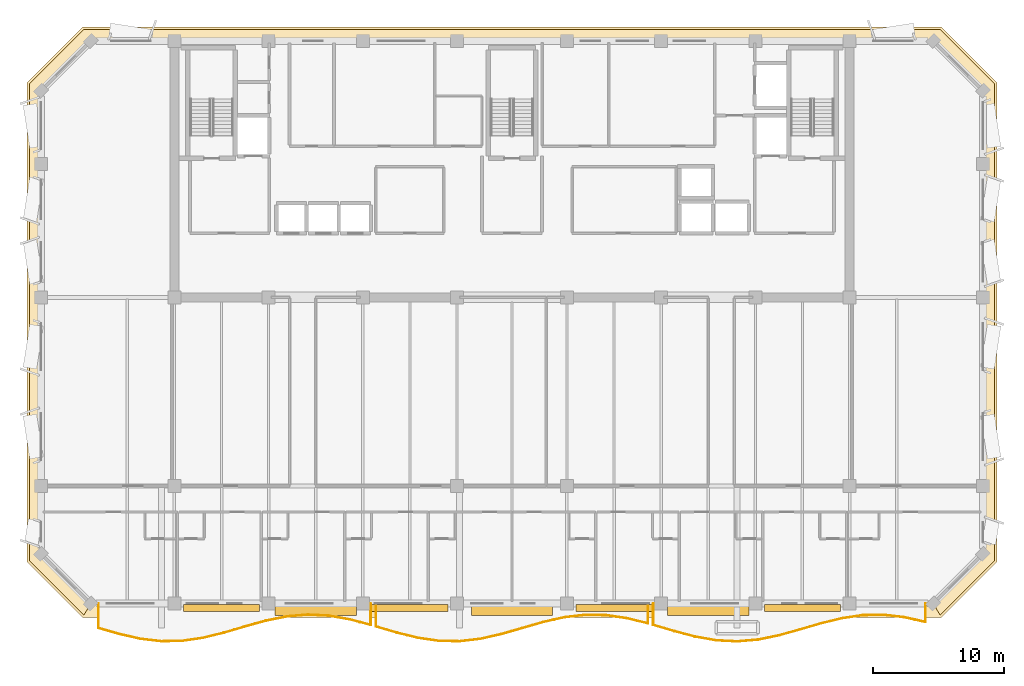
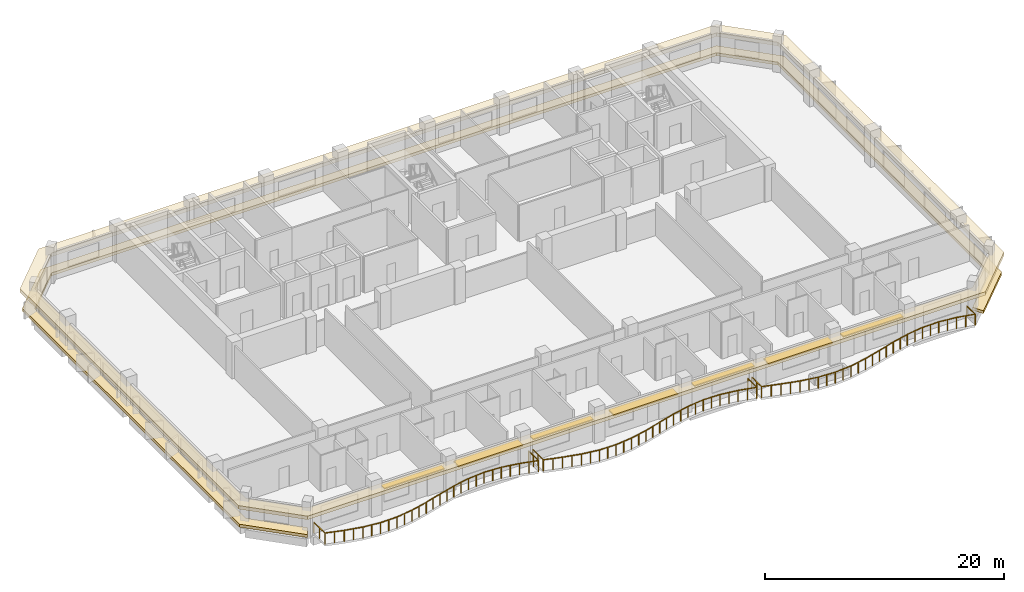
# One storey, part 9 of 11: 7 shading devices, 3 railings, 2 coverings.
"""IFC4 building model written with IfcOpenShell, lengths in metres."""

from ifc_helpers import new_model, si_unit, direction, frame, origin, origin_2d, place, context, subcontext, project, spatial, polyline, rectangle, outline, extrude, material, layer, layer_set, type_object, element, save


model = new_model("IFC4")

# Units and contexts
model_context = context("Model", 3, precision=1e-05, world=origin(), true_north=direction((0.0, 1.0)))
body_context = subcontext(model_context, "Body", "Model", "MODEL_VIEW")
ifc_project = project(units=[si_unit("LENGTHUNIT", "METRE"), si_unit("AREAUNIT", "SQUARE_METRE"), si_unit("VOLUMEUNIT", "CUBIC_METRE"), si_unit("PLANEANGLEUNIT", "RADIAN"), si_unit("MASSUNIT", "GRAM", prefix="KILO")], contexts=[model_context])

# Site, building, storey
site_placement = place(None, origin())
site = spatial("IfcSite", under=ifc_project, at=site_placement, CompositionType="ELEMENT")
building_placement = place(site_placement, origin())
building = spatial("IfcBuilding", under=site, at=building_placement, Name="Kaelvorn Grand Hotel", CompositionType="ELEMENT")
storey_placement = place(building_placement, frame((0.0, 0.0, 233.10009765625)))
storey = spatial("IfcBuildingStorey", under=building, at=storey_placement, Name="L57", CompositionType="ELEMENT", Elevation=233.10009765625)

# Coverings
ifc_material_1 = material(Name="Precast concrete C45/55", Category="concrete")
ifc_layer_1 = layer(ifc_material_1, 0.260009765625)
ifc_layer_set_1 = layer_set([ifc_layer_1], Name="Precast concrete C45/55")
covering_type_1 = type_object("IfcCoveringType", Name="COV-BAND-STREAMLINE-HEAD", PredefinedType="CLADDING", material=ifc_layer_set_1)
covering_1_placement = place(storey_placement, frame((0.0, 0.0, 2.419921875)))
element("IfcCovering", 1, at=covering_1_placement, inside=storey, type_object=covering_type_1, Name="L57 Streamline Moderne Wraparound Horizontal Eyebrow Band", PredefinedType="CLADDING", context=body_context, shape_type="SweptSolid", body=[
    extrude(outline(polyline([(9.18994140625, 4.949951171875), (74.81005859375, 4.949951171875), (79.050048828125, 9.18994140625), (79.050048828125, 45.81005859375), (74.81005859375, 50.050048828125), (9.18994140625, 50.050048828125), (4.949951171875, 45.81005859375), (4.949951171875, 9.18994140625), (9.18994140625, 4.949951171875)]), holes=[polyline([(9.820068359375, 6.030029296875), (74.179931640625, 6.030029296875), (77.969970703125, 9.820068359375), (77.969970703125, 45.179931640625), (74.179931640625, 48.969970703125), (9.820068359375, 48.969970703125), (6.030029296875, 45.179931640625), (6.030029296875, 9.820068359375), (9.820068359375, 6.030029296875)])]), origin(), (0.0, 0.0, 1.0), 0.35986328125),
])
ifc_layer_2 = layer(ifc_material_1, 0.219970703125)
ifc_layer_set_2 = layer_set([ifc_layer_2], Name="Precast concrete C45/55")
covering_type_2 = type_object("IfcCoveringType", Name="COV-BAND-STREAMLINE-SILL", PredefinedType="CLADDING", material=ifc_layer_set_2)
covering_2_placement = place(storey_placement, frame((0.0, 0.0, 0.449951171875)))
element("IfcCovering", 2, at=covering_2_placement, inside=storey, type_object=covering_type_2, Name="L57 Streamline Moderne Wraparound Horizontal Sill Spandrel Band", PredefinedType="CLADDING", context=body_context, shape_type="SweptSolid", body=[
    extrude(outline(polyline([(74.715576171875, 5.1201171875), (78.8798828125, 9.284423828125), (78.8798828125, 45.715576171875), (74.715576171875, 49.8798828125), (9.284423828125, 49.8798828125), (5.1201171875, 45.715576171875), (5.1201171875, 9.284423828125), (9.284423828125, 5.1201171875), (9.817626953125, 6.030029296875), (6.030029296875, 9.817626953125), (6.030029296875, 45.182373046875), (9.817626953125, 48.969970703125), (74.182373046875, 48.969970703125), (77.969970703125, 45.182373046875), (77.969970703125, 9.817626953125), (74.182373046875, 6.030029296875), (74.715576171875, 5.1201171875)])), origin(), (0.0, 0.0, 1.0), 0.300048828125),
])

# Railings
ifc_material_2 = material(Name="Stainless Steel", Category="steel")
railing_type = type_object("IfcRailingType", Name="RL-BALC-1150", PredefinedType="BALUSTRADE", material=ifc_material_2)
railing_1_placement = place(storey_placement, frame((10.39990234375, 6.0, 0.0)))
element("IfcRailing", 3, at=railing_1_placement, inside=storey, type_object=railing_type, Name="L57 Scalloped Wave Balcony Balustrade GR1-1", PredefinedType="BALUSTRADE", context=body_context, shape_type="SweptSolid", body=[
    extrude(rectangle(XDim=0.048095703125, YDim=0.048095703125, at=origin_2d()), frame((0.0, 0.0, 1.1259765625), z_axis=(0.0, -1.0, 0.0), x_axis=(1.0, 0.0, 0.0)), (0.0, 0.0, 1.0), 1.875),
    extrude(rectangle(XDim=0.048095703125, YDim=0.048095703125, at=origin_2d()), frame((0.0, -1.875, 1.1259765625), z_axis=(0.961080011817, -0.276270177337, 0.0), x_axis=(0.276270177337, 0.961080011817, 0.0)), (0.0, 0.0, 1.0), 1.664794921875),
    extrude(rectangle(XDim=0.048095703125, YDim=0.048095703125, at=origin_2d()), frame((1.60009765625, -2.3349609375, 1.1259765625), z_axis=(0.975310880035, -0.220836335974, 0.0), x_axis=(0.220836335974, 0.975310880035, 0.0)), (0.0, 0.0, 1.0), 1.640625),
    extrude(rectangle(XDim=0.048095703125, YDim=0.048095703125, at=origin_2d()), frame((3.2001953125, -2.697265625, 1.1259765625), z_axis=(0.993219746963, -0.116252028982, 0.0), x_axis=(0.116252028982, 0.993219746963, 0.0)), (0.0, 0.0, 1.0), 1.61083984375),
    extrude(rectangle(XDim=0.048095703125, YDim=0.048095703125, at=origin_2d()), frame((4.800048828125, -2.884521484375, 1.1259765625), z_axis=(0.999851400549, 0.017238817251, 0.0), x_axis=(-0.017238817251, 0.999851400549, 0.0)), (0.0, 0.0, 1.0), 1.600341796875),
    extrude(rectangle(XDim=0.048095703125, YDim=0.048095703125, at=origin_2d()), frame((6.400146484375, -2.85693359375, 1.1259765625), z_axis=(0.989264976248, 0.146132839464, 0.0), x_axis=(-0.146132839464, 0.989264976248, 0.0)), (0.0, 0.0, 1.0), 1.6171875),
    extrude(rectangle(XDim=0.048095703125, YDim=0.048095703125, at=origin_2d()), frame((8.0, -2.62060546875, 1.1259765625), z_axis=(0.970852806052, 0.239676509031, 0.0), x_axis=(-0.239676509031, 0.970852806052, 0.0)), (0.0, 0.0, 1.0), 1.648193359375),
    extrude(rectangle(XDim=0.048095703125, YDim=0.048095703125, at=origin_2d()), frame((9.60009765625, -2.2255859375, 1.1259765625), z_axis=(0.959549471235, 0.281540072198, 0.0), x_axis=(-0.281540072198, 0.959549471235, 0.0)), (0.0, 0.0, 1.0), 1.66748046875),
    extrude(rectangle(XDim=0.048095703125, YDim=0.048095703125, at=origin_2d()), frame((11.2001953125, -1.756103515625, 1.1259765625), z_axis=(0.963528441565, 0.267605945925, 0.0), x_axis=(-0.267605945925, 0.963528441565, 0.0)), (0.0, 0.0, 1.0), 1.660400390625),
    extrude(rectangle(XDim=0.048095703125, YDim=0.048095703125, at=origin_2d()), frame((12.800048828125, -1.311767578125, 1.1259765625), z_axis=(0.980053810623, 0.19873230307, 0.0), x_axis=(-0.19873230307, 0.980053810623, 0.0)), (0.0, 0.0, 1.0), 1.632568359375),
    extrude(rectangle(XDim=0.048095703125, YDim=0.048095703125, at=origin_2d()), frame((14.400146484375, -0.9873046875, 1.1259765625), z_axis=(0.996432640647, 0.084391899215, 0.0), x_axis=(-0.084391899215, 0.996432640647, 0.0)), (0.0, 0.0, 1.0), 1.60546875),
    extrude(rectangle(XDim=0.048095703125, YDim=0.048095703125, at=origin_2d()), frame((16.0, -0.851806640625, 1.1259765625), z_axis=(0.998688462717, -0.051199164399, 0.0), x_axis=(0.051199164399, 0.998688462717, 0.0)), (0.0, 0.0, 1.0), 1.602294921875),
    extrude(rectangle(XDim=0.048095703125, YDim=0.048095703125, at=origin_2d()), frame((17.60009765625, -0.933837890625, 1.1259765625), z_axis=(0.984798681851, -0.173699614925, 0.0), x_axis=(0.173699614925, 0.984798681851, 0.0)), (0.0, 0.0, 1.0), 1.624755859375),
    extrude(rectangle(XDim=0.048095703125, YDim=0.048095703125, at=origin_2d()), frame((19.2001953125, -1.216064453125, 1.1259765625), z_axis=(0.966837134786, -0.255393725059, 0.0), x_axis=(0.255393725059, 0.966837134786, 0.0)), (0.0, 0.0, 1.0), 1.65478515625),
    extrude(rectangle(XDim=0.048095703125, YDim=0.048095703125, at=origin_2d()), frame((20.800048828125, -1.638671875, 1.1259765625), z_axis=(0.0, 1.0, 0.0), x_axis=(-1.0, 0.0, 0.0)), (0.0, 0.0, 1.0), 1.638671875),
    extrude(rectangle(XDim=0.0419921875, YDim=0.0419921875, at=origin_2d()), origin(), (0.0, 0.0, 1.0), 1.101806640625),
    extrude(rectangle(XDim=0.0419921875, YDim=0.0419921875, at=origin_2d()), frame((0.0, -0.9375, 0.0)), (0.0, 0.0, 1.0), 1.101806640625),
    extrude(rectangle(XDim=0.0419921875, YDim=0.0419921875, at=origin_2d()), frame((0.0, -1.875, 0.0)), (0.0, 0.0, 1.0), 1.101806640625),
    extrude(rectangle(XDim=0.0419921875, YDim=0.0419921875, at=origin_2d()), frame((0.800048828125, -2.10498046875, 0.0)), (0.0, 0.0, 1.0), 1.101806640625),
    extrude(rectangle(XDim=0.0419921875, YDim=0.0419921875, at=origin_2d()), frame((1.60009765625, -2.3349609375, 0.0)), (0.0, 0.0, 1.0), 1.101806640625),
    extrude(rectangle(XDim=0.0419921875, YDim=0.0419921875, at=origin_2d()), frame((2.400146484375, -2.51611328125, 0.0)), (0.0, 0.0, 1.0), 1.101806640625),
    extrude(rectangle(XDim=0.0419921875, YDim=0.0419921875, at=origin_2d()), frame((3.2001953125, -2.697265625, 0.0)), (0.0, 0.0, 1.0), 1.101806640625),
    extrude(rectangle(XDim=0.0419921875, YDim=0.0419921875, at=origin_2d()), frame((4.0, -2.791015625, 0.0)), (0.0, 0.0, 1.0), 1.101806640625),
    extrude(rectangle(XDim=0.0419921875, YDim=0.0419921875, at=origin_2d()), frame((4.800048828125, -2.884521484375, 0.0)), (0.0, 0.0, 1.0), 1.101806640625),
    extrude(rectangle(XDim=0.0419921875, YDim=0.0419921875, at=origin_2d()), frame((5.60009765625, -2.87060546875, 0.0)), (0.0, 0.0, 1.0), 1.101806640625),
    extrude(rectangle(XDim=0.0419921875, YDim=0.0419921875, at=origin_2d()), frame((6.400146484375, -2.85693359375, 0.0)), (0.0, 0.0, 1.0), 1.101806640625),
    extrude(rectangle(XDim=0.0419921875, YDim=0.0419921875, at=origin_2d()), frame((7.2001953125, -2.73876953125, 0.0)), (0.0, 0.0, 1.0), 1.101806640625),
    extrude(rectangle(XDim=0.0419921875, YDim=0.0419921875, at=origin_2d()), frame((8.0, -2.62060546875, 0.0)), (0.0, 0.0, 1.0), 1.101806640625),
    extrude(rectangle(XDim=0.0419921875, YDim=0.0419921875, at=origin_2d()), frame((8.800048828125, -2.423095703125, 0.0)), (0.0, 0.0, 1.0), 1.101806640625),
    extrude(rectangle(XDim=0.0419921875, YDim=0.0419921875, at=origin_2d()), frame((9.60009765625, -2.2255859375, 0.0)), (0.0, 0.0, 1.0), 1.101806640625),
    extrude(rectangle(XDim=0.0419921875, YDim=0.0419921875, at=origin_2d()), frame((10.400146484375, -1.99072265625, 0.0)), (0.0, 0.0, 1.0), 1.101806640625),
    extrude(rectangle(XDim=0.0419921875, YDim=0.0419921875, at=origin_2d()), frame((11.2001953125, -1.756103515625, 0.0)), (0.0, 0.0, 1.0), 1.101806640625),
    extrude(rectangle(XDim=0.0419921875, YDim=0.0419921875, at=origin_2d()), frame((12.0, -1.533935546875, 0.0)), (0.0, 0.0, 1.0), 1.101806640625),
    extrude(rectangle(XDim=0.0419921875, YDim=0.0419921875, at=origin_2d()), frame((12.800048828125, -1.311767578125, 0.0)), (0.0, 0.0, 1.0), 1.101806640625),
    extrude(rectangle(XDim=0.0419921875, YDim=0.0419921875, at=origin_2d()), frame((13.60009765625, -1.1494140625, 0.0)), (0.0, 0.0, 1.0), 1.101806640625),
    extrude(rectangle(XDim=0.0419921875, YDim=0.0419921875, at=origin_2d()), frame((14.400146484375, -0.9873046875, 0.0)), (0.0, 0.0, 1.0), 1.101806640625),
    extrude(rectangle(XDim=0.0419921875, YDim=0.0419921875, at=origin_2d()), frame((15.2001953125, -0.91943359375, 0.0)), (0.0, 0.0, 1.0), 1.101806640625),
    extrude(rectangle(XDim=0.0419921875, YDim=0.0419921875, at=origin_2d()), frame((16.0, -0.851806640625, 0.0)), (0.0, 0.0, 1.0), 1.101806640625),
    extrude(rectangle(XDim=0.0419921875, YDim=0.0419921875, at=origin_2d()), frame((16.800048828125, -0.892822265625, 0.0)), (0.0, 0.0, 1.0), 1.101806640625),
    extrude(rectangle(XDim=0.0419921875, YDim=0.0419921875, at=origin_2d()), frame((17.60009765625, -0.933837890625, 0.0)), (0.0, 0.0, 1.0), 1.101806640625),
    extrude(rectangle(XDim=0.0419921875, YDim=0.0419921875, at=origin_2d()), frame((18.400146484375, -1.074951171875, 0.0)), (0.0, 0.0, 1.0), 1.101806640625),
    extrude(rectangle(XDim=0.0419921875, YDim=0.0419921875, at=origin_2d()), frame((19.2001953125, -1.216064453125, 0.0)), (0.0, 0.0, 1.0), 1.101806640625),
    extrude(rectangle(XDim=0.0419921875, YDim=0.0419921875, at=origin_2d()), frame((20.0, -1.42724609375, 0.0)), (0.0, 0.0, 1.0), 1.101806640625),
    extrude(rectangle(XDim=0.0419921875, YDim=0.0419921875, at=origin_2d()), frame((20.800048828125, -1.638671875, 0.0)), (0.0, 0.0, 1.0), 1.101806640625),
    extrude(rectangle(XDim=0.0419921875, YDim=0.0419921875, at=origin_2d()), frame((20.800048828125, -0.8193359375, 0.0)), (0.0, 0.0, 1.0), 1.101806640625),
    extrude(rectangle(XDim=0.0419921875, YDim=0.0419921875, at=origin_2d()), frame((20.800048828125, 0.0, 0.0)), (0.0, 0.0, 1.0), 1.101806640625),
])
railing_2_placement = place(storey_placement, frame((31.60009765625, 6.0, 0.0)))
element("IfcRailing", 4, at=railing_2_placement, inside=storey, type_object=railing_type, Name="L57 Scalloped Wave Balcony Balustrade GR1-2", PredefinedType="BALUSTRADE", context=body_context, shape_type="SweptSolid", body=[
    extrude(rectangle(XDim=0.048095703125, YDim=0.048095703125, at=origin_2d()), frame((0.0, 0.0, 1.1259765625), z_axis=(0.0, -1.0, 0.0), x_axis=(1.0, 0.0, 0.0)), (0.0, 0.0, 1.0), 1.756103515625),
    extrude(rectangle(XDim=0.048095703125, YDim=0.048095703125, at=origin_2d()), frame((0.0, -1.756103515625, 1.1259765625), z_axis=(0.95953786389, -0.281579629522, 0.0), x_axis=(0.281579629522, 0.95953786389, 0.0)), (0.0, 0.0, 1.0), 1.667236328125),
    extrude(rectangle(XDim=0.048095703125, YDim=0.048095703125, at=origin_2d()), frame((1.599853515625, -2.2255859375, 1.1259765625), z_axis=(0.970852806052, -0.239676509031, 0.0), x_axis=(0.239676509031, 0.970852806052, 0.0)), (0.0, 0.0, 1.0), 1.648193359375),
    extrude(rectangle(XDim=0.048095703125, YDim=0.048095703125, at=origin_2d()), frame((3.199951171875, -2.62060546875, 1.1259765625), z_axis=(0.989264976248, -0.146132839464, 0.0), x_axis=(0.146132839464, 0.989264976248, 0.0)), (0.0, 0.0, 1.0), 1.6171875),
    extrude(rectangle(XDim=0.048095703125, YDim=0.048095703125, at=origin_2d()), frame((4.7998046875, -2.85693359375, 1.1259765625), z_axis=(0.999851400549, -0.017238817251, 0.0), x_axis=(0.017238817251, 0.999851400549, 0.0)), (0.0, 0.0, 1.0), 1.600341796875),
    extrude(rectangle(XDim=0.048095703125, YDim=0.048095703125, at=origin_2d()), frame((6.39990234375, -2.884521484375, 1.1259765625), z_axis=(0.993221794861, 0.116234531074, 0.0), x_axis=(-0.116234531074, 0.993221794861, 0.0)), (0.0, 0.0, 1.0), 1.611083984375),
    extrude(rectangle(XDim=0.048095703125, YDim=0.048095703125, at=origin_2d()), frame((8.0, -2.697265625, 1.1259765625), z_axis=(0.97530362111, 0.220868392145, 0.0), x_axis=(-0.220868392145, 0.97530362111, 0.0)), (0.0, 0.0, 1.0), 1.640380859375),
    extrude(rectangle(XDim=0.048095703125, YDim=0.048095703125, at=origin_2d()), frame((9.599853515625, -2.3349609375, 1.1259765625), z_axis=(0.961080011817, 0.276270177337, 0.0), x_axis=(-0.276270177337, 0.961080011817, 0.0)), (0.0, 0.0, 1.0), 1.664794921875),
    extrude(rectangle(XDim=0.048095703125, YDim=0.048095703125, at=origin_2d()), frame((11.199951171875, -1.875, 1.1259765625), z_axis=(0.961068817105, 0.276309118179, 0.0), x_axis=(-0.276309118179, 0.961068817105, 0.0)), (0.0, 0.0, 1.0), 1.66455078125),
    extrude(rectangle(XDim=0.048095703125, YDim=0.048095703125, at=origin_2d()), frame((12.7998046875, -1.4150390625, 1.1259765625), z_axis=(0.975310880035, 0.220836335974, 0.0), x_axis=(-0.220836335974, 0.975310880035, 0.0)), (0.0, 0.0, 1.0), 1.640625),
    extrude(rectangle(XDim=0.048095703125, YDim=0.048095703125, at=origin_2d()), frame((14.39990234375, -1.052734375, 1.1259765625), z_axis=(0.993221794861, 0.116234531074, 0.0), x_axis=(-0.116234531074, 0.993221794861, 0.0)), (0.0, 0.0, 1.0), 1.611083984375),
    extrude(rectangle(XDim=0.048095703125, YDim=0.048095703125, at=origin_2d()), frame((16.0, -0.865478515625, 1.1259765625), z_axis=(0.999851355203, -0.017241447144, 0.0), x_axis=(0.017241447144, 0.999851355203, 0.0)), (0.0, 0.0, 1.0), 1.60009765625),
    extrude(rectangle(XDim=0.048095703125, YDim=0.048095703125, at=origin_2d()), frame((17.599853515625, -0.89306640625, 1.1259765625), z_axis=(0.989268199326, -0.146111018759, 0.0), x_axis=(0.146111018759, 0.989268199326, 0.0)), (0.0, 0.0, 1.0), 1.617431640625),
    extrude(rectangle(XDim=0.048095703125, YDim=0.048095703125, at=origin_2d()), frame((19.199951171875, -1.12939453125, 1.1259765625), z_axis=(0.970844294836, -0.23971098261, 0.0), x_axis=(0.23971098261, 0.970844294836, 0.0)), (0.0, 0.0, 1.0), 1.64794921875),
    extrude(rectangle(XDim=0.048095703125, YDim=0.048095703125, at=origin_2d()), frame((20.7998046875, -1.5244140625, 1.1259765625), z_axis=(0.0, 1.0, 0.0), x_axis=(-1.0, 0.0, 0.0)), (0.0, 0.0, 1.0), 1.5244140625),
    extrude(rectangle(XDim=0.0419921875, YDim=0.0419921875, at=origin_2d()), origin(), (0.0, 0.0, 1.0), 1.101806640625),
    extrude(rectangle(XDim=0.0419921875, YDim=0.0419921875, at=origin_2d()), frame((0.0, -0.8779296875, 0.0)), (0.0, 0.0, 1.0), 1.101806640625),
    extrude(rectangle(XDim=0.0419921875, YDim=0.0419921875, at=origin_2d()), frame((0.0, -1.756103515625, 0.0)), (0.0, 0.0, 1.0), 1.101806640625),
    extrude(rectangle(XDim=0.0419921875, YDim=0.0419921875, at=origin_2d()), frame((0.7998046875, -1.99072265625, 0.0)), (0.0, 0.0, 1.0), 1.101806640625),
    extrude(rectangle(XDim=0.0419921875, YDim=0.0419921875, at=origin_2d()), frame((1.599853515625, -2.2255859375, 0.0)), (0.0, 0.0, 1.0), 1.101806640625),
    extrude(rectangle(XDim=0.0419921875, YDim=0.0419921875, at=origin_2d()), frame((2.39990234375, -2.423095703125, 0.0)), (0.0, 0.0, 1.0), 1.101806640625),
    extrude(rectangle(XDim=0.0419921875, YDim=0.0419921875, at=origin_2d()), frame((3.199951171875, -2.62060546875, 0.0)), (0.0, 0.0, 1.0), 1.101806640625),
    extrude(rectangle(XDim=0.0419921875, YDim=0.0419921875, at=origin_2d()), frame((4.0, -2.73876953125, 0.0)), (0.0, 0.0, 1.0), 1.101806640625),
    extrude(rectangle(XDim=0.0419921875, YDim=0.0419921875, at=origin_2d()), frame((4.7998046875, -2.85693359375, 0.0)), (0.0, 0.0, 1.0), 1.101806640625),
    extrude(rectangle(XDim=0.0419921875, YDim=0.0419921875, at=origin_2d()), frame((5.599853515625, -2.87060546875, 0.0)), (0.0, 0.0, 1.0), 1.101806640625),
    extrude(rectangle(XDim=0.0419921875, YDim=0.0419921875, at=origin_2d()), frame((6.39990234375, -2.884521484375, 0.0)), (0.0, 0.0, 1.0), 1.101806640625),
    extrude(rectangle(XDim=0.0419921875, YDim=0.0419921875, at=origin_2d()), frame((7.199951171875, -2.791015625, 0.0)), (0.0, 0.0, 1.0), 1.101806640625),
    extrude(rectangle(XDim=0.0419921875, YDim=0.0419921875, at=origin_2d()), frame((8.0, -2.697265625, 0.0)), (0.0, 0.0, 1.0), 1.101806640625),
    extrude(rectangle(XDim=0.0419921875, YDim=0.0419921875, at=origin_2d()), frame((8.7998046875, -2.51611328125, 0.0)), (0.0, 0.0, 1.0), 1.101806640625),
    extrude(rectangle(XDim=0.0419921875, YDim=0.0419921875, at=origin_2d()), frame((9.599853515625, -2.3349609375, 0.0)), (0.0, 0.0, 1.0), 1.101806640625),
    extrude(rectangle(XDim=0.0419921875, YDim=0.0419921875, at=origin_2d()), frame((10.39990234375, -2.10498046875, 0.0)), (0.0, 0.0, 1.0), 1.101806640625),
    extrude(rectangle(XDim=0.0419921875, YDim=0.0419921875, at=origin_2d()), frame((11.199951171875, -1.875, 0.0)), (0.0, 0.0, 1.0), 1.101806640625),
    extrude(rectangle(XDim=0.0419921875, YDim=0.0419921875, at=origin_2d()), frame((12.0, -1.64501953125, 0.0)), (0.0, 0.0, 1.0), 1.101806640625),
    extrude(rectangle(XDim=0.0419921875, YDim=0.0419921875, at=origin_2d()), frame((12.7998046875, -1.4150390625, 0.0)), (0.0, 0.0, 1.0), 1.101806640625),
    extrude(rectangle(XDim=0.0419921875, YDim=0.0419921875, at=origin_2d()), frame((13.599853515625, -1.23388671875, 0.0)), (0.0, 0.0, 1.0), 1.101806640625),
    extrude(rectangle(XDim=0.0419921875, YDim=0.0419921875, at=origin_2d()), frame((14.39990234375, -1.052734375, 0.0)), (0.0, 0.0, 1.0), 1.101806640625),
    extrude(rectangle(XDim=0.0419921875, YDim=0.0419921875, at=origin_2d()), frame((15.199951171875, -0.958984375, 0.0)), (0.0, 0.0, 1.0), 1.101806640625),
    extrude(rectangle(XDim=0.0419921875, YDim=0.0419921875, at=origin_2d()), frame((16.0, -0.865478515625, 0.0)), (0.0, 0.0, 1.0), 1.101806640625),
    extrude(rectangle(XDim=0.0419921875, YDim=0.0419921875, at=origin_2d()), frame((16.7998046875, -0.87939453125, 0.0)), (0.0, 0.0, 1.0), 1.101806640625),
    extrude(rectangle(XDim=0.0419921875, YDim=0.0419921875, at=origin_2d()), frame((17.599853515625, -0.89306640625, 0.0)), (0.0, 0.0, 1.0), 1.101806640625),
    extrude(rectangle(XDim=0.0419921875, YDim=0.0419921875, at=origin_2d()), frame((18.39990234375, -1.01123046875, 0.0)), (0.0, 0.0, 1.0), 1.101806640625),
    extrude(rectangle(XDim=0.0419921875, YDim=0.0419921875, at=origin_2d()), frame((19.199951171875, -1.12939453125, 0.0)), (0.0, 0.0, 1.0), 1.101806640625),
    extrude(rectangle(XDim=0.0419921875, YDim=0.0419921875, at=origin_2d()), frame((20.0, -1.326904296875, 0.0)), (0.0, 0.0, 1.0), 1.101806640625),
    extrude(rectangle(XDim=0.0419921875, YDim=0.0419921875, at=origin_2d()), frame((20.7998046875, -1.5244140625, 0.0)), (0.0, 0.0, 1.0), 1.101806640625),
    extrude(rectangle(XDim=0.0419921875, YDim=0.0419921875, at=origin_2d()), frame((20.7998046875, 0.0, 0.0)), (0.0, 0.0, 1.0), 1.101806640625),
])
railing_3_placement = place(storey_placement, frame((52.800048828125, 6.0, 0.0)))
element("IfcRailing", 5, at=railing_3_placement, inside=storey, type_object=railing_type, Name="L57 Scalloped Wave Balcony Balustrade GR1-3", PredefinedType="BALUSTRADE", context=body_context, shape_type="SweptSolid", body=[
    extrude(rectangle(XDim=0.048095703125, YDim=0.048095703125, at=origin_2d()), frame((0.0, 0.0, 1.1259765625), z_axis=(0.0, -1.0, 0.0), x_axis=(1.0, 0.0, 0.0)), (0.0, 0.0, 1.0), 1.638671875),
    extrude(rectangle(XDim=0.048095703125, YDim=0.048095703125, at=origin_2d()), frame((0.0, -1.638671875, 1.1259765625), z_axis=(0.959022227014, -0.283330845643, 0.0), x_axis=(0.283330845643, 0.959022227014, 0.0)), (0.0, 0.0, 1.0), 1.668212890625),
    extrude(rectangle(XDim=0.048095703125, YDim=0.048095703125, at=origin_2d()), frame((1.599853515625, -2.111328125, 1.1259765625), z_axis=(0.966846756239, -0.255357298604, 0.0), x_axis=(0.255357298604, 0.966846756239, 0.0)), (0.0, 0.0, 1.0), 1.655029296875),
    extrude(rectangle(XDim=0.048095703125, YDim=0.048095703125, at=origin_2d()), frame((3.199951171875, -2.533935546875, 1.1259765625), z_axis=(0.984798681851, -0.173699614925, 0.0), x_axis=(0.173699614925, 0.984798681851, 0.0)), (0.0, 0.0, 1.0), 1.624755859375),
    extrude(rectangle(XDim=0.048095703125, YDim=0.048095703125, at=origin_2d()), frame((4.800048828125, -2.816162109375, 1.1259765625), z_axis=(0.998688063188, -0.051206957002, 0.0), x_axis=(0.051206957002, 0.998688063188, 0.0)), (0.0, 0.0, 1.0), 1.60205078125),
    extrude(rectangle(XDim=0.048095703125, YDim=0.048095703125, at=origin_2d()), frame((6.39990234375, -2.898193359375, 1.1259765625), z_axis=(0.996433723353, 0.084379114504, 0.0), x_axis=(-0.084379114504, 0.996433723353, 0.0)), (0.0, 0.0, 1.0), 1.605712890625),
    extrude(rectangle(XDim=0.048095703125, YDim=0.048095703125, at=origin_2d()), frame((8.0, -2.7626953125, 1.1259765625), z_axis=(0.980047903502, 0.198761431978, 0.0), x_axis=(-0.198761431978, 0.980047903502, 0.0)), (0.0, 0.0, 1.0), 1.63232421875),
    extrude(rectangle(XDim=0.048095703125, YDim=0.048095703125, at=origin_2d()), frame((9.599853515625, -2.438232421875, 1.1259765625), z_axis=(0.963538969025, 0.267568038393, 0.0), x_axis=(-0.267568038393, 0.963538969025, 0.0)), (0.0, 0.0, 1.0), 1.66064453125),
    extrude(rectangle(XDim=0.048095703125, YDim=0.048095703125, at=origin_2d()), frame((11.199951171875, -1.993896484375, 1.1259765625), z_axis=(0.959549471235, 0.281540072198, 0.0), x_axis=(-0.281540072198, 0.959549471235, 0.0)), (0.0, 0.0, 1.0), 1.66748046875),
    extrude(rectangle(XDim=0.048095703125, YDim=0.048095703125, at=origin_2d()), frame((12.800048828125, -1.5244140625, 1.1259765625), z_axis=(0.970844294836, 0.23971098261, 0.0), x_axis=(-0.23971098261, 0.970844294836, 0.0)), (0.0, 0.0, 1.0), 1.64794921875),
    extrude(rectangle(XDim=0.048095703125, YDim=0.048095703125, at=origin_2d()), frame((14.39990234375, -1.12939453125, 1.1259765625), z_axis=(0.989268199326, 0.146111018759, 0.0), x_axis=(-0.146111018759, 0.989268199326, 0.0)), (0.0, 0.0, 1.0), 1.617431640625),
    extrude(rectangle(XDim=0.048095703125, YDim=0.048095703125, at=origin_2d()), frame((16.0, -0.89306640625, 1.1259765625), z_axis=(0.999851355203, 0.017241447144, 0.0), x_axis=(-0.017241447144, 0.999851355203, 0.0)), (0.0, 0.0, 1.0), 1.60009765625),
    extrude(rectangle(XDim=0.048095703125, YDim=0.048095703125, at=origin_2d()), frame((17.599853515625, -0.865478515625, 1.1259765625), z_axis=(0.993221794861, -0.116234531074, 0.0), x_axis=(0.116234531074, 0.993221794861, 0.0)), (0.0, 0.0, 1.0), 1.611083984375),
    extrude(rectangle(XDim=0.048095703125, YDim=0.048095703125, at=origin_2d()), frame((19.199951171875, -1.052734375, 1.1259765625), z_axis=(0.975310880035, -0.220836335974, 0.0), x_axis=(0.220836335974, 0.975310880035, 0.0)), (0.0, 0.0, 1.0), 1.640625),
    extrude(rectangle(XDim=0.048095703125, YDim=0.048095703125, at=origin_2d()), frame((20.800048828125, -1.4150390625, 1.1259765625), z_axis=(0.0, 1.0, 0.0), x_axis=(-1.0, 0.0, 0.0)), (0.0, 0.0, 1.0), 1.4150390625),
    extrude(rectangle(XDim=0.0419921875, YDim=0.0419921875, at=origin_2d()), origin(), (0.0, 0.0, 1.0), 1.101806640625),
    extrude(rectangle(XDim=0.0419921875, YDim=0.0419921875, at=origin_2d()), frame((0.0, -0.8193359375, 0.0)), (0.0, 0.0, 1.0), 1.101806640625),
    extrude(rectangle(XDim=0.0419921875, YDim=0.0419921875, at=origin_2d()), frame((0.0, -1.638671875, 0.0)), (0.0, 0.0, 1.0), 1.101806640625),
    extrude(rectangle(XDim=0.0419921875, YDim=0.0419921875, at=origin_2d()), frame((0.7998046875, -1.875, 0.0)), (0.0, 0.0, 1.0), 1.101806640625),
    extrude(rectangle(XDim=0.0419921875, YDim=0.0419921875, at=origin_2d()), frame((1.599853515625, -2.111328125, 0.0)), (0.0, 0.0, 1.0), 1.101806640625),
    extrude(rectangle(XDim=0.0419921875, YDim=0.0419921875, at=origin_2d()), frame((2.39990234375, -2.32275390625, 0.0)), (0.0, 0.0, 1.0), 1.101806640625),
    extrude(rectangle(XDim=0.0419921875, YDim=0.0419921875, at=origin_2d()), frame((3.199951171875, -2.533935546875, 0.0)), (0.0, 0.0, 1.0), 1.101806640625),
    extrude(rectangle(XDim=0.0419921875, YDim=0.0419921875, at=origin_2d()), frame((4.0, -2.675048828125, 0.0)), (0.0, 0.0, 1.0), 1.101806640625),
    extrude(rectangle(XDim=0.0419921875, YDim=0.0419921875, at=origin_2d()), frame((4.800048828125, -2.816162109375, 0.0)), (0.0, 0.0, 1.0), 1.101806640625),
    extrude(rectangle(XDim=0.0419921875, YDim=0.0419921875, at=origin_2d()), frame((5.60009765625, -2.857177734375, 0.0)), (0.0, 0.0, 1.0), 1.101806640625),
    extrude(rectangle(XDim=0.0419921875, YDim=0.0419921875, at=origin_2d()), frame((6.39990234375, -2.898193359375, 0.0)), (0.0, 0.0, 1.0), 1.101806640625),
    extrude(rectangle(XDim=0.0419921875, YDim=0.0419921875, at=origin_2d()), frame((7.199951171875, -2.83056640625, 0.0)), (0.0, 0.0, 1.0), 1.101806640625),
    extrude(rectangle(XDim=0.0419921875, YDim=0.0419921875, at=origin_2d()), frame((8.0, -2.7626953125, 0.0)), (0.0, 0.0, 1.0), 1.101806640625),
    extrude(rectangle(XDim=0.0419921875, YDim=0.0419921875, at=origin_2d()), frame((8.7998046875, -2.6005859375, 0.0)), (0.0, 0.0, 1.0), 1.101806640625),
    extrude(rectangle(XDim=0.0419921875, YDim=0.0419921875, at=origin_2d()), frame((9.599853515625, -2.438232421875, 0.0)), (0.0, 0.0, 1.0), 1.101806640625),
    extrude(rectangle(XDim=0.0419921875, YDim=0.0419921875, at=origin_2d()), frame((10.39990234375, -2.216064453125, 0.0)), (0.0, 0.0, 1.0), 1.101806640625),
    extrude(rectangle(XDim=0.0419921875, YDim=0.0419921875, at=origin_2d()), frame((11.199951171875, -1.993896484375, 0.0)), (0.0, 0.0, 1.0), 1.101806640625),
    extrude(rectangle(XDim=0.0419921875, YDim=0.0419921875, at=origin_2d()), frame((12.0, -1.75927734375, 0.0)), (0.0, 0.0, 1.0), 1.101806640625),
    extrude(rectangle(XDim=0.0419921875, YDim=0.0419921875, at=origin_2d()), frame((12.800048828125, -1.5244140625, 0.0)), (0.0, 0.0, 1.0), 1.101806640625),
    extrude(rectangle(XDim=0.0419921875, YDim=0.0419921875, at=origin_2d()), frame((13.60009765625, -1.326904296875, 0.0)), (0.0, 0.0, 1.0), 1.101806640625),
    extrude(rectangle(XDim=0.0419921875, YDim=0.0419921875, at=origin_2d()), frame((14.39990234375, -1.12939453125, 0.0)), (0.0, 0.0, 1.0), 1.101806640625),
    extrude(rectangle(XDim=0.0419921875, YDim=0.0419921875, at=origin_2d()), frame((15.199951171875, -1.01123046875, 0.0)), (0.0, 0.0, 1.0), 1.101806640625),
    extrude(rectangle(XDim=0.0419921875, YDim=0.0419921875, at=origin_2d()), frame((16.0, -0.89306640625, 0.0)), (0.0, 0.0, 1.0), 1.101806640625),
    extrude(rectangle(XDim=0.0419921875, YDim=0.0419921875, at=origin_2d()), frame((16.7998046875, -0.87939453125, 0.0)), (0.0, 0.0, 1.0), 1.101806640625),
    extrude(rectangle(XDim=0.0419921875, YDim=0.0419921875, at=origin_2d()), frame((17.599853515625, -0.865478515625, 0.0)), (0.0, 0.0, 1.0), 1.101806640625),
    extrude(rectangle(XDim=0.0419921875, YDim=0.0419921875, at=origin_2d()), frame((18.39990234375, -0.958984375, 0.0)), (0.0, 0.0, 1.0), 1.101806640625),
    extrude(rectangle(XDim=0.0419921875, YDim=0.0419921875, at=origin_2d()), frame((19.199951171875, -1.052734375, 0.0)), (0.0, 0.0, 1.0), 1.101806640625),
    extrude(rectangle(XDim=0.0419921875, YDim=0.0419921875, at=origin_2d()), frame((20.0, -1.23388671875, 0.0)), (0.0, 0.0, 1.0), 1.101806640625),
    extrude(rectangle(XDim=0.0419921875, YDim=0.0419921875, at=origin_2d()), frame((20.800048828125, -1.4150390625, 0.0)), (0.0, 0.0, 1.0), 1.101806640625),
    extrude(rectangle(XDim=0.0419921875, YDim=0.0419921875, at=origin_2d()), frame((20.800048828125, 0.0, 0.0)), (0.0, 0.0, 1.0), 1.101806640625),
])

# Shading devices
ifc_layer_3 = layer(ifc_material_1, 0.1201171875)
ifc_layer_set_3 = layer_set([ifc_layer_3], Name="Precast concrete C45/55")
shading_device_type_1 = type_object("IfcShadingDeviceType", Name="SHD-SUNSHADE-550", PredefinedType="USERDEFINED", material=ifc_layer_set_3)
for number, where, z_axis, x_axis, name in (
    (6, (19.800048828125, 5.655029296875, 2.559814453125), (0.0, 0.0, 1.0), (1.0, 0.0, 0.0), "L57 Horizontal Concrete Sunshade Band SS-03"),
    (7, (34.199951171875, 5.655029296875, 2.559814453125), (0.0, 0.0, 1.0), (1.0, 0.0, 0.0), "L57 Horizontal Concrete Sunshade Band SS-05"),
    (8, (49.800048828125, 5.655029296875, 2.559814453125), (0.0, 0.0, 1.0), (1.0, 0.0, 0.0), "L57 Horizontal Concrete Sunshade Band SS-07"),
    (9, (64.199951171875, 5.655029296875, 2.559814453125), (0.0, 0.0, 1.0), (1.0, 0.0, 0.0), "L57 Horizontal Concrete Sunshade Band SS-09"),
):
    element("IfcShadingDevice", number, at=place(storey_placement, frame(where, z_axis=z_axis, x_axis=x_axis)), inside=storey, type_object=shading_device_type_1, Name=name, ObjectType="SUNSHADE", PredefinedType="USERDEFINED", context=body_context, shape_type="SweptSolid", body=[
        extrude(rectangle(XDim=5.800048828125, YDim=0.550048828125, at=origin_2d()), origin(), (0.0, 0.0, 1.0), 0.1201171875),
    ])
ifc_layer_4 = layer(ifc_material_1, 0.139892578125)
ifc_layer_set_4 = layer_set([ifc_layer_4], Name="Precast concrete C45/55")
shading_device_type_2 = type_object("IfcShadingDeviceType", Name="SHD-SUNSHADE-850", PredefinedType="USERDEFINED", material=ifc_layer_set_4)
for number, where, z_axis, x_axis, name in (
    (10, (27.0, 5.5048828125, 2.5498046875), (0.0, 0.0, 1.0), (1.0, 0.0, 0.0), "L57 Horizontal Concrete Sunshade Band SS-04"),
    (11, (42.0, 5.5048828125, 2.5498046875), (0.0, 0.0, 1.0), (1.0, 0.0, 0.0), "L57 Horizontal Concrete Sunshade Band SS-06"),
    (12, (57.0, 5.5048828125, 2.5498046875), (0.0, 0.0, 1.0), (1.0, 0.0, 0.0), "L57 Horizontal Concrete Sunshade Band SS-08"),
):
    element("IfcShadingDevice", number, at=place(storey_placement, frame(where, z_axis=z_axis, x_axis=x_axis)), inside=storey, type_object=shading_device_type_2, Name=name, ObjectType="SUNSHADE", PredefinedType="USERDEFINED", context=body_context, shape_type="SweptSolid", body=[
        extrude(rectangle(XDim=6.199951171875, YDim=0.85009765625, at=origin_2d()), origin(), (0.0, 0.0, 1.0), 0.139892578125),
    ])

save(model, "model.ifc")
